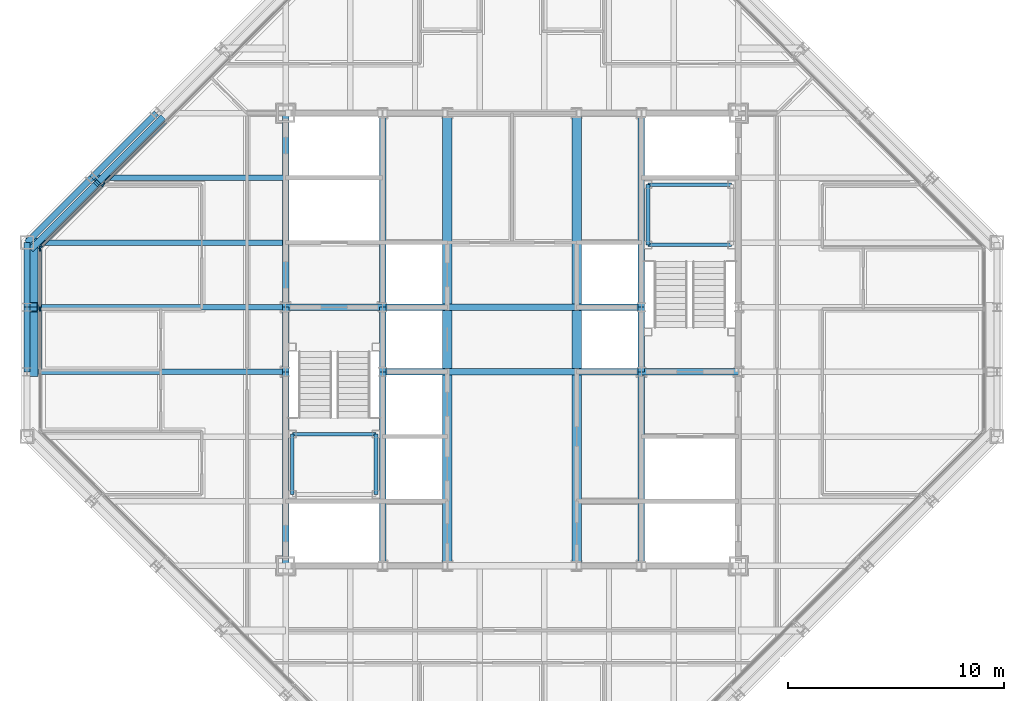
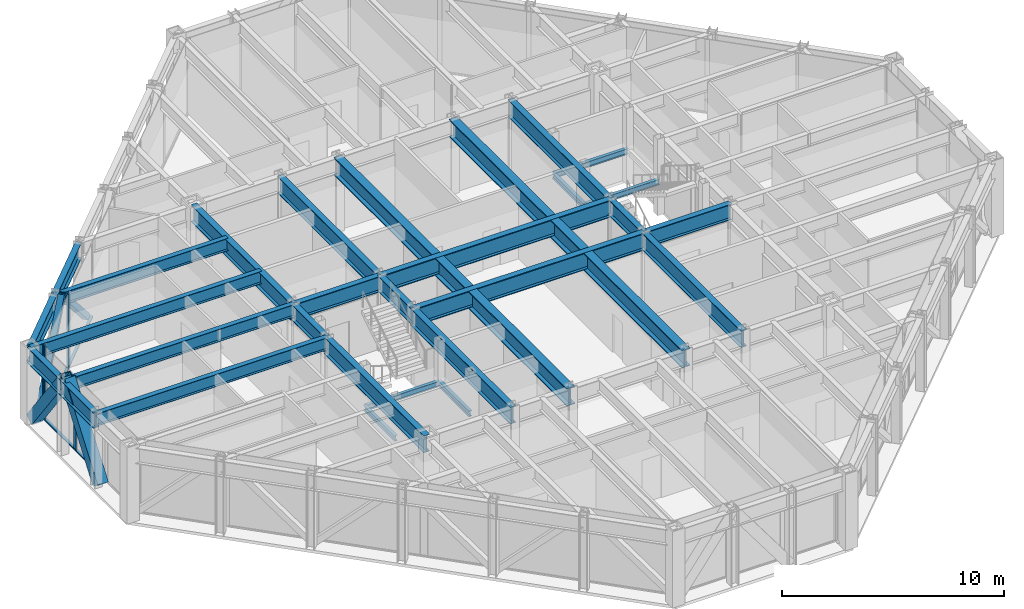
# One storey, part 6 of 15: 33 beams, 12 members, 2 elements without a shape of their own.
"""IFC4 building model written with IfcOpenShell, lengths in metres."""

from ifc_helpers import new_model, si_unit, direction, frame, origin, origin_2d, place, context, subcontext, project, spatial, rectangle, hollow_rectangle, i_section, extrude, material, layer, layer_set, material_profile, profile_set, type_object, element, aggregate, save


model = new_model("IFC4")

# Units and contexts
model_context = context("Model", 3, precision=1e-05, world=origin(), true_north=direction((0.0, 1.0)))
body_context = subcontext(model_context, "Body", "Model", "MODEL_VIEW")
ifc_project = project(units=[si_unit("LENGTHUNIT", "METRE"), si_unit("AREAUNIT", "SQUARE_METRE"), si_unit("VOLUMEUNIT", "CUBIC_METRE"), si_unit("PLANEANGLEUNIT", "RADIAN"), si_unit("MASSUNIT", "GRAM", prefix="KILO")], contexts=[model_context])

# Site, building, storey
site_placement = place(None, origin())
site = spatial("IfcSite", under=ifc_project, at=site_placement, CompositionType="ELEMENT")
building_placement = place(site_placement, origin())
building = spatial("IfcBuilding", under=site, at=building_placement, Name="Chuquiago Exchange Tower", CompositionType="ELEMENT")
storey_placement = place(building_placement, frame((0.0, 0.0, 287.39990234375)))
storey = spatial("IfcBuildingStorey", under=building, at=storey_placement, Name="L64", CompositionType="ELEMENT", Elevation=287.39990234375)

# Beams
ifc_material_1 = material(Name="Steel ASTM A992", Category="steel")
ifc_material_profile_1 = material_profile(ifc_material_1, i_section(OverallWidth=0.25390625, OverallDepth=0.683349609375, WebThickness=0.012451171875, FlangeThickness=0.018798828125, at=origin_2d()), Name="W27X94")
ifc_profile_set_1 = profile_set([ifc_material_profile_1], Name="Steel ASTM A992")
beam_type_1 = type_object("IfcBeamType", Name="B1 W27X94", PredefinedType="BEAM", material=ifc_profile_set_1)
for number, where, z_axis, x_axis, name in (
    (1, (12.0, 21.0, 3.698486328125), (-1.0, 0.0, 0.0), (0.0, -1.0, 0.0), "FB-L65-infill-12_21--0_21-0"),
    (2, (12.0, 24.0, 3.698486328125), (-1.0, 0.0, 0.0), (0.0, -1.0, 0.0), "FB-L65-infill-12_24--0_24-0"),
    (3, (12.0, 27.0, 3.698486328125), (-1.0, 0.0, 0.0), (0.0, -1.0, 0.0), "FB-L65-infill-12_27--0_27-0"),
):
    element("IfcBeam", number, at=place(storey_placement, frame(where, z_axis=z_axis, x_axis=x_axis)), inside=storey, type_object=beam_type_1, Name=name, PredefinedType="BEAM", context=body_context, shape_type="SweptSolid", body=[
        extrude(i_section(OverallWidth=0.25390625, OverallDepth=0.683349609375, WebThickness=0.012451171875, FlangeThickness=0.018798828125, at=origin_2d()), origin(), (0.0, 0.0, 1.0), 12.0),
    ])
beam_1_placement = place(storey_placement, frame((12.0, 30.0, 3.698486328125), z_axis=(-1.0, 0.0, 0.0), x_axis=(0.0, -1.0, 0.0)))
element("IfcBeam", 4, at=beam_1_placement, inside=storey, type_object=beam_type_1, Name="FB-L65-infill-12_30-3_30-0", PredefinedType="BEAM", context=body_context, shape_type="SweptSolid", body=[
    extrude(i_section(OverallWidth=0.25390625, OverallDepth=0.683349609375, WebThickness=0.012451171875, FlangeThickness=0.018798828125, at=origin_2d()), origin(), (0.0, 0.0, 1.0), 9.0),
])
ifc_material_2 = material(Name="Steel ASTM A992", Category="steel")
ifc_material_profile_2 = material_profile(ifc_material_2, i_section(OverallWidth=0.307373046875, OverallDepth=0.927001953125, WebThickness=0.01953125, FlangeThickness=0.031982421875, at=origin_2d()), Name="W36X194")
ifc_profile_set_2 = profile_set([ifc_material_profile_2], Name="Steel ASTM A992")
beam_type_2 = type_object("IfcBeamType", Name="B10 W36X194", PredefinedType="BEAM", material=ifc_profile_set_2)
for number, where, z_axis, x_axis, name in (
    (5, (12.0, 12.0, 3.576416015625), (0.0, 1.0, 0.0), (-1.0, 0.0, 0.0), "CB-L65-12_12-12_21"),
    (6, (12.0, 24.0, 3.576416015625), (0.0, 1.0, 0.0), (-1.0, 0.0, 0.0), "CB-L65-12_24-12_33"),
    (7, (16.5, 12.0, 3.576416015625), (0.0, 1.0, 0.0), (-1.0, 0.0, 0.0), "CB-L65-16.5_12-16.5_21"),
    (8, (16.5, 24.0, 3.576416015625), (0.0, 1.0, 0.0), (-1.0, 0.0, 0.0), "CB-L65-16.5_24-16.5_33"),
    (9, (28.5, 12.0, 3.576416015625), (0.0, 1.0, 0.0), (-1.0, 0.0, 0.0), "CB-L65-28.5_12-28.5_21"),
    (10, (28.5, 24.0, 3.576416015625), (0.0, 1.0, 0.0), (-1.0, 0.0, 0.0), "CB-L65-28.5_24-28.5_33"),
):
    element("IfcBeam", number, at=place(storey_placement, frame(where, z_axis=z_axis, x_axis=x_axis)), inside=storey, type_object=beam_type_2, Name=name, PredefinedType="BEAM", context=body_context, shape_type="SweptSolid", body=[
        extrude(i_section(OverallWidth=0.307373046875, OverallDepth=0.927001953125, WebThickness=0.01953125, FlangeThickness=0.031982421875, at=origin_2d()), origin(), (0.0, 0.0, 1.0), 9.0),
    ])
ifc_material_3 = material(Name="Steel ASTM A992", Category="steel")
ifc_material_profile_3 = material_profile(ifc_material_3, i_section(OverallWidth=0.309814453125, OverallDepth=0.949951171875, WebThickness=0.0244140625, FlangeThickness=0.0439453125, at=origin_2d()), Name="W36X256")
ifc_profile_set_3 = profile_set([ifc_material_profile_3], Name="Steel ASTM A992")
beam_type_3 = type_object("IfcBeamType", Name="B11 W36X256", PredefinedType="BEAM", material=ifc_profile_set_3)
for number, where, z_axis, x_axis, name in (
    (11, (16.5, 21.0, 3.565185546875), (1.0, 0.0, 0.0), (0.0, 1.0, 0.0), "CB-L65-16.5_21-28.5_21"),
    (12, (16.5, 24.0, 3.565185546875), (1.0, 0.0, 0.0), (0.0, 1.0, 0.0), "CB-L65-16.5_24-28.5_24"),
):
    element("IfcBeam", number, at=place(storey_placement, frame(where, z_axis=z_axis, x_axis=x_axis)), inside=storey, type_object=beam_type_3, Name=name, PredefinedType="BEAM", context=body_context, shape_type="SweptSolid", body=[
        extrude(i_section(OverallWidth=0.309814453125, OverallDepth=0.949951171875, WebThickness=0.0244140625, FlangeThickness=0.0439453125, at=origin_2d()), origin(), (0.0, 0.0, 1.0), 12.0),
    ])
ifc_material_4 = material(Name="Steel ASTM A992", Category="steel")
ifc_material_profile_4 = material_profile(ifc_material_4, i_section(OverallWidth=0.4267578125, OverallDepth=0.975341796875, WebThickness=0.031005859375, FlangeThickness=0.055908203125, at=origin_2d()), Name="W36X395")
ifc_profile_set_4 = profile_set([ifc_material_profile_4], Name="Steel ASTM A992")
beam_type_4 = type_object("IfcBeamType", Name="B12 W36X395", PredefinedType="BEAM", material=ifc_profile_set_4)
beam_2_placement = place(storey_placement, frame((19.5, 12.0, 3.552490234375), z_axis=(0.0, 1.0, 0.0), x_axis=(-1.0, 0.0, 0.0)))
element("IfcBeam", 13, at=beam_2_placement, inside=storey, type_object=beam_type_4, Name="CB-L65-19.5_12-19.5_20.8451", PredefinedType="BEAM", context=body_context, shape_type="SweptSolid", body=[
    extrude(i_section(OverallWidth=0.4267578125, OverallDepth=0.975341796875, WebThickness=0.031005859375, FlangeThickness=0.055908203125, at=origin_2d()), origin(), (0.0, 0.0, 1.0), 8.84521484375),
])
beam_3_placement = place(storey_placement, frame((19.5, 21.15478515625, 3.552490234375), z_axis=(0.0, 1.0, 0.0), x_axis=(-1.0, 0.0, 0.0)))
element("IfcBeam", 14, at=beam_3_placement, inside=storey, type_object=beam_type_4, Name="CB-L65-19.5_21.1549-19.5_23.8451", PredefinedType="BEAM", context=body_context, shape_type="SweptSolid", body=[
    extrude(i_section(OverallWidth=0.4267578125, OverallDepth=0.975341796875, WebThickness=0.031005859375, FlangeThickness=0.055908203125, at=origin_2d()), origin(), (0.0, 0.0, 1.0), 2.6904296875),
])
for number, where, z_axis, x_axis, name in (
    (15, (19.5, 24.15478515625, 3.552490234375), (0.0, 1.0, 0.0), (-1.0, 0.0, 0.0), "CB-L65-19.5_24.1549-19.5_33"),
    (16, (25.5, 12.0, 3.552490234375), (0.0, 1.0, 0.0), (-1.0, 0.0, 0.0), "CB-L65-25.5_12-25.5_20.8451"),
):
    element("IfcBeam", number, at=place(storey_placement, frame(where, z_axis=z_axis, x_axis=x_axis)), inside=storey, type_object=beam_type_4, Name=name, PredefinedType="BEAM", context=body_context, shape_type="SweptSolid", body=[
        extrude(i_section(OverallWidth=0.4267578125, OverallDepth=0.975341796875, WebThickness=0.031005859375, FlangeThickness=0.055908203125, at=origin_2d()), origin(), (0.0, 0.0, 1.0), 8.84521484375),
    ])
beam_4_placement = place(storey_placement, frame((25.5, 21.15478515625, 3.552490234375), z_axis=(0.0, 1.0, 0.0), x_axis=(-1.0, 0.0, 0.0)))
element("IfcBeam", 17, at=beam_4_placement, inside=storey, type_object=beam_type_4, Name="CB-L65-25.5_21.1549-25.5_23.8451", PredefinedType="BEAM", context=body_context, shape_type="SweptSolid", body=[
    extrude(i_section(OverallWidth=0.4267578125, OverallDepth=0.975341796875, WebThickness=0.031005859375, FlangeThickness=0.055908203125, at=origin_2d()), origin(), (0.0, 0.0, 1.0), 2.6904296875),
])
beam_5_placement = place(storey_placement, frame((25.5, 24.15478515625, 3.552490234375), z_axis=(0.0, 1.0, 0.0), x_axis=(-1.0, 0.0, 0.0)))
element("IfcBeam", 18, at=beam_5_placement, inside=storey, type_object=beam_type_4, Name="CB-L65-25.5_24.1549-25.5_33", PredefinedType="BEAM", context=body_context, shape_type="SweptSolid", body=[
    extrude(i_section(OverallWidth=0.4267578125, OverallDepth=0.975341796875, WebThickness=0.031005859375, FlangeThickness=0.055908203125, at=origin_2d()), origin(), (0.0, 0.0, 1.0), 8.84521484375),
])
ifc_material_5 = material(Name="Steel ASTM A992", Category="steel")
ifc_material_profile_5 = material_profile(ifc_material_5, i_section(OverallWidth=0.2919921875, OverallDepth=0.8583984375, WebThickness=0.01708984375, FlangeThickness=0.031005859375, at=origin_2d()), Name="W33X169")
ifc_profile_set_5 = profile_set([ifc_material_profile_5], Name="Steel ASTM A992")
beam_type_5 = type_object("IfcBeamType", Name="B3 W33X169", PredefinedType="BEAM", material=ifc_profile_set_5)
for number, where, z_axis, x_axis, name in (
    (19, (12.0, 21.0, 3.61083984375), (0.0, 1.0, 0.0), (-1.0, 0.0, 0.0), "CB-L65-12_21-12_24"),
    (20, (16.5, 21.0, 3.61083984375), (0.0, 1.0, 0.0), (-1.0, 0.0, 0.0), "CB-L65-16.5_21-16.5_24"),
    (21, (28.5, 21.0, 3.61083984375), (0.0, 1.0, 0.0), (-1.0, 0.0, 0.0), "CB-L65-28.5_21-28.5_24"),
):
    element("IfcBeam", number, at=place(storey_placement, frame(where, z_axis=z_axis, x_axis=x_axis)), inside=storey, type_object=beam_type_5, Name=name, PredefinedType="BEAM", context=body_context, shape_type="SweptSolid", body=[
        extrude(i_section(OverallWidth=0.2919921875, OverallDepth=0.8583984375, WebThickness=0.01708984375, FlangeThickness=0.031005859375, at=origin_2d()), origin(), (0.0, 0.0, 1.0), 3.0),
    ])
for number, where, z_axis, x_axis, name in (
    (22, (28.5, 21.0, 3.61083984375), (1.0, 0.0, 0.0), (0.0, 1.0, 0.0), "CB-L65-28.5_21-33_21"),
    (23, (12.0, 24.0, 3.61083984375), (1.0, 0.0, 0.0), (0.0, 1.0, 0.0), "CB-L65-12_24-16.5_24"),
):
    element("IfcBeam", number, at=place(storey_placement, frame(where, z_axis=z_axis, x_axis=x_axis)), inside=storey, type_object=beam_type_5, Name=name, PredefinedType="BEAM", context=body_context, shape_type="SweptSolid", body=[
        extrude(i_section(OverallWidth=0.2919921875, OverallDepth=0.8583984375, WebThickness=0.01708984375, FlangeThickness=0.031005859375, at=origin_2d()), origin(), (0.0, 0.0, 1.0), 4.5),
    ])

# Curtain wall, members
ifc_material_6 = material(Name="Aluminium curtain wall system", Category="aluminium")
ifc_layer_1 = layer(ifc_material_6, 0.22509765625)
ifc_layer_set_1 = layer_set([ifc_layer_1], Name="CW2 office curtain wall")
curtain_wall_type_1 = type_object("IfcCurtainWallType", Name="CW2 office curtain wall", PredefinedType="NOTDEFINED", material=ifc_layer_set_1)
curtain_wall_1_placement = place(storey_placement, origin())
curtain_wall_1 = element("IfcCurtainWall", 24, at=curtain_wall_1_placement, inside=storey, type_object=curtain_wall_type_1, Name="CW2 curtain wall L64", PredefinedType="NOTDEFINED")
ifc_material_7 = material(Name="Aluminium mullion, pale anodised", Category="aluminium")
ifc_material_profile_6 = material_profile(ifc_material_7, rectangle(XDim=0.06494140625, YDim=0.22509765625, at=origin_2d()), Name="AL 65x225")
ifc_profile_set_6 = profile_set([ifc_material_profile_6], Name="Aluminium mullion, pale anodised")
member_type_1 = type_object("IfcMemberType", Name="CW2-M mullion 65x225", PredefinedType="MULLION", material=ifc_profile_set_6)
member_1_placement = place(storey_placement, frame((0.60009765625, 26.718994140625, 0.0), z_axis=(0.0, 0.0, 1.0), x_axis=(1.0, 0.0, 0.0)))
member_1 = element("IfcMember", 25, at=member_1_placement, type_object=member_type_1, Name="CW2 mullion 1", PredefinedType="MULLION", context=body_context, shape_type="SweptSolid", body=[
    extrude(rectangle(XDim=0.06494140625, YDim=0.22509765625, at=origin_2d()), origin(), (0.0, 0.0, 1.0), 4.0400390625),
])
member_2_placement = place(storey_placement, frame((0.60009765625, 23.917236328125, 0.0), z_axis=(0.0, 0.0, 1.0), x_axis=(1.0, 0.0, 0.0)))
member_2 = element("IfcMember", 26, at=member_2_placement, type_object=member_type_1, Name="CW2 mullion 2", PredefinedType="MULLION", context=body_context, shape_type="SweptSolid", body=[
    extrude(rectangle(XDim=0.06494140625, YDim=0.22509765625, at=origin_2d()), origin(), (0.0, 0.0, 1.0), 4.0400390625),
])
ifc_material_8 = material(Name="Aluminium transom, pale anodised", Category="aluminium")
ifc_material_profile_7 = material_profile(ifc_material_8, rectangle(XDim=0.139892578125, YDim=0.06494140625, at=origin_2d()), Name="AL 140x65")
ifc_profile_set_7 = profile_set([ifc_material_profile_7], Name="Aluminium transom, pale anodised")
member_type_2 = type_object("IfcMemberType", Name="CW2-T transom 65x140", PredefinedType="MULLION", material=ifc_profile_set_7)
member_3_placement = place(storey_placement, frame((0.60009765625, 26.6865234375, 0.03271484375), z_axis=(0.0, -1.0, 0.0), x_axis=(1.0, 0.0, 0.0)))
member_3 = element("IfcMember", 27, at=member_3_placement, type_object=member_type_2, Name="CW2 transom 1.1", PredefinedType="MULLION", context=body_context, shape_type="SweptSolid", body=[
    extrude(rectangle(XDim=0.139892578125, YDim=0.06494140625, at=origin_2d()), origin(), (0.0, 0.0, 1.0), 2.73681640625),
])
member_4_placement = place(storey_placement, frame((0.60009765625, 23.884765625, 0.03271484375), z_axis=(0.0, -1.0, 0.0), x_axis=(1.0, 0.0, 0.0)))
member_4 = element("IfcMember", 28, at=member_4_placement, type_object=member_type_2, Name="CW2 transom 2.1", PredefinedType="MULLION", context=body_context, shape_type="SweptSolid", body=[
    extrude(rectangle(XDim=0.139892578125, YDim=0.06494140625, at=origin_2d()), origin(), (0.0, 0.0, 1.0), 2.76953125),
])
aggregate(curtain_wall_1, [member_1, member_2, member_3, member_4])

ifc_material_9 = material(Name="Aluminium curtain wall system", Category="aluminium")
ifc_layer_2 = layer(ifc_material_9, 0.199951171875)
ifc_layer_set_2 = layer_set([ifc_layer_2], Name="CW3 facet curtain wall")
curtain_wall_type_2 = type_object("IfcCurtainWallType", Name="CW3 facet curtain wall", PredefinedType="NOTDEFINED", material=ifc_layer_set_2)
curtain_wall_2_placement = place(storey_placement, origin())
curtain_wall_2 = element("IfcCurtainWall", 29, at=curtain_wall_2_placement, inside=storey, type_object=curtain_wall_type_2, Name="CW3 curtain wall L64", PredefinedType="NOTDEFINED")
ifc_material_10 = material(Name="Aluminium mullion, pale anodised", Category="aluminium")
ifc_material_profile_8 = material_profile(ifc_material_10, rectangle(XDim=0.06494140625, YDim=0.199951171875, at=origin_2d()), Name="AL 65x200")
ifc_profile_set_8 = profile_set([ifc_material_profile_8], Name="Aluminium mullion, pale anodised")
member_type_3 = type_object("IfcMemberType", Name="CW3-M mullion 65x200", PredefinedType="MULLION", material=ifc_profile_set_8)
member_5_placement = place(storey_placement, frame((3.54150390625, 29.69287109375, 0.0), z_axis=(0.0, 0.0, 1.0), x_axis=(0.707106781187, -0.707106781187, 0.0)))
member_5 = element("IfcMember", 30, at=member_5_placement, type_object=member_type_3, Name="CW3 mullion 6", PredefinedType="MULLION", context=body_context, shape_type="SweptSolid", body=[
    extrude(rectangle(XDim=0.06494140625, YDim=0.199951171875, at=origin_2d()), origin(), (0.0, 0.0, 1.0), 4.0400390625),
])
member_6_placement = place(storey_placement, frame((0.623046875, 26.7744140625, 0.0), z_axis=(0.0, 0.0, 1.0), x_axis=(0.707106781187, -0.707106781187, 0.0)))
member_6 = element("IfcMember", 31, at=member_6_placement, type_object=member_type_3, Name="CW3 mullion 7", PredefinedType="MULLION", context=body_context, shape_type="SweptSolid", body=[
    extrude(rectangle(XDim=0.06494140625, YDim=0.199951171875, at=origin_2d()), origin(), (0.0, 0.0, 1.0), 4.0400390625),
])
ifc_material_11 = material(Name="Aluminium transom, pale anodised", Category="aluminium")
ifc_material_profile_9 = material_profile(ifc_material_11, rectangle(XDim=0.139892578125, YDim=0.06494140625, at=origin_2d()), Name="AL 140x65")
ifc_profile_set_9 = profile_set([ifc_material_profile_9], Name="Aluminium transom, pale anodised")
member_type_4 = type_object("IfcMemberType", Name="CW3-T transom 65x140", PredefinedType="MULLION", material=ifc_profile_set_9)
member_7_placement = place(storey_placement, frame((6.4599609375, 32.611328125, 0.03271484375), z_axis=(-0.707106781187, -0.707106781187, 0.0), x_axis=(0.707106781187, -0.707106781187, 0.0)))
member_7 = element("IfcMember", 32, at=member_7_placement, type_object=member_type_4, Name="CW3 transom 5.1", PredefinedType="MULLION", context=body_context, shape_type="SweptSolid", body=[
    extrude(rectangle(XDim=0.139892578125, YDim=0.06494140625, at=origin_2d()), origin(), (0.0, 0.0, 1.0), 4.094970703125),
])
member_8_placement = place(storey_placement, frame((3.5185546875, 29.669921875, 0.03271484375), z_axis=(-0.707106781187, -0.707106781187, 0.0), x_axis=(0.707106781187, -0.707106781187, 0.0)))
member_8 = element("IfcMember", 33, at=member_8_placement, type_object=member_type_4, Name="CW3 transom 6.1", PredefinedType="MULLION", context=body_context, shape_type="SweptSolid", body=[
    extrude(rectangle(XDim=0.139892578125, YDim=0.06494140625, at=origin_2d()), origin(), (0.0, 0.0, 1.0), 4.0625),
])
aggregate(curtain_wall_2, [member_5, member_6, member_7, member_8])

# Members
ifc_material_12 = material(Name="Steel ASTM A500 Grade C", Category="steel")
ifc_material_profile_10 = material_profile(ifc_material_12, hollow_rectangle(XDim=0.3046875, YDim=0.3046875, WallThickness=0.0146484375, at=origin_2d()), Name="HSS12X12X5/8")
ifc_profile_set_10 = profile_set([ifc_material_profile_10], Name="Steel ASTM A500 Grade C")
member_type_5 = type_object("IfcMemberType", Name="LB3 HSS12X12X5/8", PredefinedType="BRACE", material=ifc_profile_set_10)
for number, where, z_axis, x_axis, name in (
    (34, (6.249267578125, 32.750732421875, 0.0), (-0.512077265487, -0.512077265487, 0.689604051861), (0.707106781187, -0.707106781187, 0.0), "LB-L64-6_33-3_30"),
    (35, (0.249267578125, 26.750732421875, 0.0), (0.512077265487, 0.512077265487, 0.689604051861), (-0.707106781187, 0.707106781187, 0.0), "LB-L64-3_30-0_27"),
):
    element("IfcMember", number, at=place(storey_placement, frame(where, z_axis=z_axis, x_axis=x_axis)), inside=storey, type_object=member_type_5, Name=name, PredefinedType="BRACE", context=body_context, shape_type="SweptSolid", body=[
        extrude(hollow_rectangle(XDim=0.3046875, YDim=0.3046875, WallThickness=0.0146484375, at=origin_2d()), origin(), (0.0, 0.0, 1.0), 5.8583984375),
    ])

# Beams
ifc_material_13 = material(Name="Steel ASTM A992", Category="steel")
ifc_material_profile_11 = material_profile(ifc_material_13, i_section(OverallWidth=0.164794921875, OverallDepth=0.309814453125, WebThickness=0.005859375, FlangeThickness=0.009765625, at=origin_2d()), Name="W12X26")
ifc_profile_set_11 = profile_set([ifc_material_profile_11], Name="Steel ASTM A992")
beam_type_6 = type_object("IfcBeamType", Name="LS1 W12X26", PredefinedType="BEAM", material=ifc_profile_set_11)
for number, where, z_axis, x_axis, name in (
    (36, (12.31005859375, 15.31005859375, 1.7451171875), (0.0, 1.0, 0.0), (-1.0, 0.0, 0.0), "Stair ST1 L64 landing 1 stringer"),
    (37, (16.18994140625, 15.31005859375, 1.7451171875), (0.0, 1.0, 0.0), (-1.0, 0.0, 0.0), "Stair ST1 L64 landing 1 stringer"),
    (38, (28.81005859375, 26.889892578125, 1.7451171875), (0.0, 1.0, 0.0), (-1.0, 0.0, 0.0), "Stair ST2 L64 landing 1 stringer"),
):
    element("IfcBeam", number, at=place(storey_placement, frame(where, z_axis=z_axis, x_axis=x_axis)), inside=storey, type_object=beam_type_6, Name=name, PredefinedType="BEAM", context=body_context, shape_type="SweptSolid", body=[
        extrude(i_section(OverallWidth=0.164794921875, OverallDepth=0.309814453125, WebThickness=0.005859375, FlangeThickness=0.009765625, at=origin_2d()), origin(), (0.0, 0.0, 1.0), 2.800048828125),
    ])
ifc_material_14 = material(Name="Steel ASTM A992", Category="steel")
ifc_material_profile_12 = material_profile(ifc_material_14, i_section(OverallWidth=0.164794921875, OverallDepth=0.309814453125, WebThickness=0.005859375, FlangeThickness=0.009765625, at=origin_2d()), Name="W12X26")
ifc_profile_set_12 = profile_set([ifc_material_profile_12], Name="Steel ASTM A992")
beam_type_7 = type_object("IfcBeamType", Name="LT1 W12X26", PredefinedType="BEAM", material=ifc_profile_set_12)
for number, where, z_axis, x_axis, name in (
    (39, (12.31005859375, 18.110107421875, 1.7451171875), (1.0, 0.0, 0.0), (0.0, 1.0, 0.0), "Stair ST1 L64 landing 1 trimmer"),
    (40, (28.81005859375, 29.68994140625, 1.7451171875), (1.0, 0.0, 0.0), (0.0, 1.0, 0.0), "Stair ST2 L64 landing 1 trimmer"),
    (41, (28.81005859375, 26.889892578125, 1.7451171875), (1.0, 0.0, 0.0), (0.0, 1.0, 0.0), "Stair ST2 L64 landing 1 trimmer"),
):
    element("IfcBeam", number, at=place(storey_placement, frame(where, z_axis=z_axis, x_axis=x_axis)), inside=storey, type_object=beam_type_7, Name=name, PredefinedType="BEAM", context=body_context, shape_type="SweptSolid", body=[
        extrude(i_section(OverallWidth=0.164794921875, OverallDepth=0.309814453125, WebThickness=0.005859375, FlangeThickness=0.009765625, at=origin_2d()), origin(), (0.0, 0.0, 1.0), 3.8798828125),
    ])

# Members
ifc_material_15 = material(Name="Steel ASTM A572 Grade 50", Category="steel")
ifc_material_profile_13 = material_profile(ifc_material_15, hollow_rectangle(XDim=0.550048828125, YDim=0.550048828125, WallThickness=0.044921875, at=origin_2d()), Name="BOX550X550X45")
ifc_profile_set_13 = profile_set([ifc_material_profile_13], Name="Steel ASTM A572 Grade 50")
member_type_6 = type_object("IfcMemberType", Name="MB4 BOX550X550X45", PredefinedType="BRACE", material=ifc_profile_set_13)
for number, where, z_axis, x_axis, name in (
    (42, (0.22998046875, 27.0, 0.0), (0.0, -0.596173923302, 0.802855312728), (1.0, 0.0, 0.0), "Mega diagonal L64 W face"),
    (43, (0.22998046875, 21.0, 0.0), (0.0, 0.596173923302, 0.802855312728), (-1.0, 0.0, 0.0), "Mega diagonal L64 W face"),
):
    element("IfcMember", number, at=place(storey_placement, frame(where, z_axis=z_axis, x_axis=x_axis)), inside=storey, type_object=member_type_6, Name=name, PredefinedType="BRACE", context=body_context, shape_type="SweptSolid", body=[
        extrude(hollow_rectangle(XDim=0.550048828125, YDim=0.550048828125, WallThickness=0.044921875, at=origin_2d()), origin(), (0.0, 0.0, 1.0), 5.031982421875),
    ])

# Beams
ifc_material_16 = material(Name="Steel ASTM A992", Category="steel")
ifc_material_profile_14 = material_profile(ifc_material_16, i_section(OverallWidth=0.2919921875, OverallDepth=0.8583984375, WebThickness=0.01708984375, FlangeThickness=0.031005859375, at=origin_2d()), Name="W33X169")
ifc_profile_set_14 = profile_set([ifc_material_profile_14], Name="Steel ASTM A992")
beam_type_8 = type_object("IfcBeamType", Name="SP4 W33X169", PredefinedType="SPANDREL", material=ifc_profile_set_14)
for number, where, z_axis, x_axis, name in (
    (44, (6.0, 33.0, 3.61083984375), (-0.707106781187, -0.707106781187, 0.0), (0.707106781187, -0.707106781187, 0.0), "SPB-L65-6_33-3_30"),
    (45, (3.0, 30.0, 3.61083984375), (-0.707106781187, -0.707106781187, 0.0), (0.707106781187, -0.707106781187, 0.0), "SPB-L65-3_30-0_27"),
):
    element("IfcBeam", number, at=place(storey_placement, frame(where, z_axis=z_axis, x_axis=x_axis)), inside=storey, type_object=beam_type_8, Name=name, PredefinedType="SPANDREL", context=body_context, shape_type="SweptSolid", body=[
        extrude(i_section(OverallWidth=0.2919921875, OverallDepth=0.8583984375, WebThickness=0.01708984375, FlangeThickness=0.031005859375, at=origin_2d()), origin(), (0.0, 0.0, 1.0), 4.24267578125),
    ])
for number, where, z_axis, x_axis, name in (
    (46, (0.0, 27.0, 3.61083984375), (0.0, -1.0, 0.0), (1.0, 0.0, 0.0), "SPB-L65-0_27-0_24"),
    (47, (0.0, 24.0, 3.61083984375), (0.0, -1.0, 0.0), (1.0, 0.0, 0.0), "SPB-L65-0_24-0_21"),
):
    element("IfcBeam", number, at=place(storey_placement, frame(where, z_axis=z_axis, x_axis=x_axis)), inside=storey, type_object=beam_type_8, Name=name, PredefinedType="SPANDREL", context=body_context, shape_type="SweptSolid", body=[
        extrude(i_section(OverallWidth=0.2919921875, OverallDepth=0.8583984375, WebThickness=0.01708984375, FlangeThickness=0.031005859375, at=origin_2d()), origin(), (0.0, 0.0, 1.0), 3.0),
    ])

save(model, "model.ifc")
